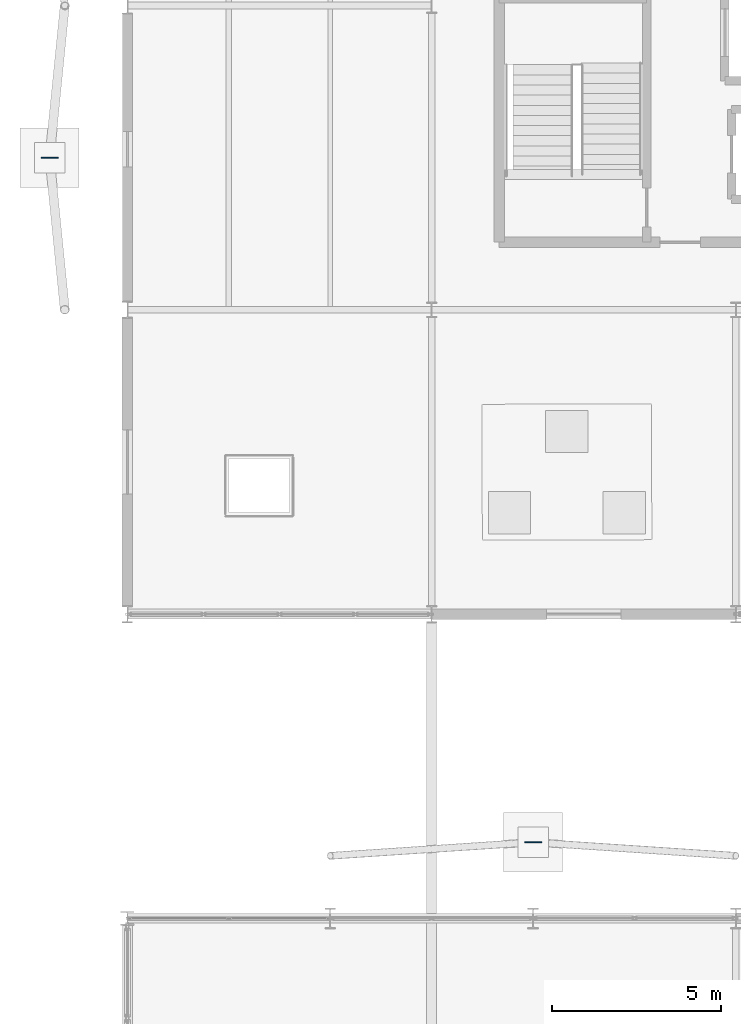
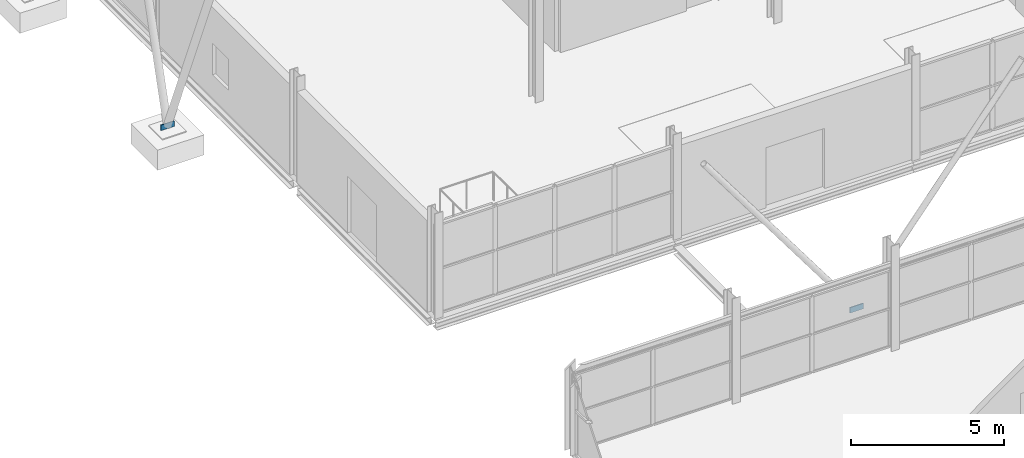
# One storey, part 110 of 140: 2 plates.
"""IFC4 building model written with IfcOpenShell, lengths in metres."""

import ifcopenshell
import ifcopenshell.guid

model = None  # the IFC model being written
_history = None  # IfcOwnerHistory: only IFC2X3 demands one
_inside = {}  # id of a spatial element -> (the spatial element, [elements in it])
_under = {}  # id of a project, library or spatial element -> (it, [spatial elements below it])
_declared = {}  # id of a project -> (the project, [libraries it declares])
_typed = {}  # id of a type object -> (the type object, [elements of that type])
_made_of = {}  # id of a material, layer set ... -> (it, [elements and type objects made of it])


def new_model(schema):
    """Start an empty IFC model of exactly this schema.

    Asked for "IFC4X3", IfcOpenShell would pick the latest addendum, in which some entities
    have other attributes; the version numbers below select the first issue.
    IFC2X3 requires an IfcOwnerHistory on every rooted entity: one is made here for all.
    """
    global model, _history
    if schema == "IFC4X3":
        model = ifcopenshell.file(schema_version=(4, 3, 0, 0))
    else:
        model = ifcopenshell.file(schema=schema)
    _inside.clear()
    _under.clear()
    _declared.clear()
    _typed.clear()
    _made_of.clear()
    _history = None
    if model.schema == "IFC2X3":
        org = make("IfcOrganization", Name="unknown")
        user = make(
            "IfcPersonAndOrganization",
            ThePerson=make("IfcPerson", FamilyName="unknown"),
            TheOrganization=org,
        )
        app = make(
            "IfcApplication",
            ApplicationDeveloper=org,
            Version="unknown",
            ApplicationFullName="unknown",
            ApplicationIdentifier="unknown",
        )
        _history = make(
            "IfcOwnerHistory",
            OwningUser=user,
            OwningApplication=app,
            ChangeAction="ADDED",
            CreationDate=0,
        )
    return model


def make(cls, **values):
    """One entity of the class cls with the attributes given. An attribute that is None is left unset."""
    return model.create_entity(
        cls, **{name: value for name, value in values.items() if value is not None}
    )


def rooted(cls, **values):
    """An entity with a GlobalId (a new one), such as an element, a storey or a relation."""
    return make(cls, GlobalId=ifcopenshell.guid.new(), OwnerHistory=_history, **values)


def si_unit(unit_type, name, prefix=None):
    """IfcSIUnit, for example si_unit("LENGTHUNIT", "METRE", prefix="MILLI")."""
    return make("IfcSIUnit", UnitType=unit_type, Prefix=prefix, Name=name)


def assignment(units):
    """IfcUnitAssignment: the units of a project."""
    return None if units is None else make("IfcUnitAssignment", Units=units)


def point(xyz):
    """IfcCartesianPoint."""
    return None if xyz is None else make("IfcCartesianPoint", Coordinates=xyz)


def direction(xyz):
    """IfcDirection."""
    return None if xyz is None else make("IfcDirection", DirectionRatios=xyz)


def frame(location, z_axis=None, x_axis=None):
    """IfcAxis2Placement3D, a coordinate frame: its origin and axes. An axis left out is left unset."""
    return make(
        "IfcAxis2Placement3D",
        Location=point(location),
        Axis=direction(z_axis),
        RefDirection=direction(x_axis),
    )


def frame_2d(location, x_axis=None):
    """IfcAxis2Placement2D, a coordinate frame in the plane: its origin and x axis."""
    return make(
        "IfcAxis2Placement2D", Location=point(location), RefDirection=direction(x_axis)
    )


def origin():
    """The frame at (0, 0, 0) with its axes left unset."""
    return frame((0.0, 0.0, 0.0))


def origin_2d():
    """The frame at (0, 0) in the plane with its x axis left unset."""
    return frame_2d((0.0, 0.0))


def place(relative_to, where):
    """IfcLocalPlacement: puts the frame where relative to a parent placement (None: the world)."""
    return make(
        "IfcLocalPlacement", PlacementRelTo=relative_to, RelativePlacement=where
    )


def context(
    kind, dimensions, precision=None, world=None, true_north=None, identifier=None
):
    """IfcGeometricRepresentationContext, for example the 3D "Model" context."""
    return make(
        "IfcGeometricRepresentationContext",
        ContextIdentifier=identifier,
        ContextType=kind,
        CoordinateSpaceDimension=dimensions,
        Precision=precision,
        WorldCoordinateSystem=world,
        TrueNorth=true_north,
    )


def subcontext(parent, identifier, kind, view, scale=None):
    """IfcGeometricRepresentationSubContext, for example "Body" below "Model"."""
    return make(
        "IfcGeometricRepresentationSubContext",
        ContextIdentifier=identifier,
        ContextType=kind,
        ParentContext=parent,
        TargetScale=scale,
        TargetView=view,
    )


def project(units=None, contexts=None):
    """IfcProject with its units and contexts."""
    return rooted(
        "IfcProject",
        Name="project",
        RepresentationContexts=contexts,
        UnitsInContext=assignment(units),
    )


def spatial(cls, under=None, at=None, **own):
    """A site, building, storey or space (cls), placed at a placement, below another one or the project."""
    s = rooted(cls, ObjectPlacement=at, **own)
    if under is not None:
        _under.setdefault(under.id(), (under, []))[1].append(s)
    return s


def profile(cls, at=None, kind="AREA", **sizes):
    """A parametric profile (cls). Its sizes go by their IFC names, for example OverallWidth=200.0."""
    return make(cls, ProfileType=kind, Position=at, **sizes)


def rectangle(**sizes):
    """IfcRectangleProfileDef."""
    return profile("IfcRectangleProfileDef", **sizes)


def extrude(swept, where, along, depth):
    """IfcExtrudedAreaSolid: the profile swept, set in the frame where, extruded along a direction by depth."""
    return make(
        "IfcExtrudedAreaSolid",
        SweptArea=swept,
        Position=where,
        ExtrudedDirection=direction(along),
        Depth=depth,
    )


def shape(context_of_items, identifier, shape_type, items):
    """IfcShapeRepresentation: the items that make up one representation, for example the "Body"."""
    return make(
        "IfcShapeRepresentation",
        ContextOfItems=context_of_items,
        RepresentationIdentifier=identifier,
        RepresentationType=shape_type,
        Items=items,
    )


def material(Name=None, Category=None):
    """IfcMaterial."""
    return make("IfcMaterial", Name=Name, Category=Category)


def layer(
    of_material, thickness, ventilated=None, Name=None, Category=None, Priority=None
):
    """IfcMaterialLayer: one layer of a wall or slab, of a material (None: an air gap)."""
    return make(
        "IfcMaterialLayer",
        Material=of_material,
        LayerThickness=thickness,
        IsVentilated=ventilated,
        Name=Name,
        Category=Category,
        Priority=Priority,
    )


def layer_set(layers, Name=None):
    """IfcMaterialLayerSet."""
    return make("IfcMaterialLayerSet", MaterialLayers=layers, LayerSetName=Name)


def made_of(thing, what):
    """Note that an element or type object is made of a material, layer set ...; save() writes the relation."""
    if what is not None:
        _made_of.setdefault(what.id(), (what, []))[1].append(thing)
    return thing


def type_object(cls, material=None, **own):
    """A type object (cls), such as IfcWallType, which elements share."""
    return made_of(rooted(cls, **own), material)


def element(
    cls,
    number,
    at=None,
    inside=None,
    cuts=None,
    type_object=None,
    material=None,
    context=None,
    identifier="Body",
    shape_type=None,
    held_by="IfcProductDefinitionShape",
    body=None,
    shapes=None,
    **own,
):
    """One element of the class cls, such as IfcWall. Its Tag is "e" and its number.

    at: its placement. inside: the storey or other place that contains it. cuts: it is an
    opening in that element (IfcRelVoidsElement). A single representation is given by context,
    identifier, shape_type and body (its items); several are given by shapes. held_by: the class
    of the entity that holds the representations. save() writes the other relations.
    """
    e = rooted(cls, Tag="e%d" % number, ObjectPlacement=at, **own)
    if body is not None:
        shapes = [shape(context, identifier, shape_type, body)]
    if shapes is not None:
        e.Representation = make(held_by, Representations=shapes)
    if inside is not None:
        _inside.setdefault(inside.id(), (inside, []))[1].append(e)
    if cuts is not None:
        rooted(
            "IfcRelVoidsElement", RelatingBuildingElement=cuts, RelatedOpeningElement=e
        )
    if type_object is not None:
        _typed.setdefault(type_object.id(), (type_object, []))[1].append(e)
    return made_of(e, material)


def aggregate(whole, parts):
    """IfcRelAggregates: a whole, such as a stair, and the parts it consists of."""
    return rooted("IfcRelAggregates", RelatingObject=whole, RelatedObjects=parts)


def save(model, path):
    """Write the relations noted so far, then the file.

    IfcRelAggregates (storeys below a building ...), IfcRelContainedInSpatialStructure (elements
    in a storey), IfcRelDefinesByType, IfcRelAssociatesMaterial and IfcRelDeclares: one each for
    every whole, place, type object, material and project.
    """
    for whole, parts in _under.values():
        aggregate(whole, parts)
    for where, things in _inside.values():
        rooted(
            "IfcRelContainedInSpatialStructure",
            RelatedElements=things,
            RelatingStructure=where,
        )
    for kind, things in _typed.values():
        rooted("IfcRelDefinesByType", RelatedObjects=things, RelatingType=kind)
    for what, things in _made_of.values():
        rooted("IfcRelAssociatesMaterial", RelatedObjects=things, RelatingMaterial=what)
    for by, libraries in _declared.values():
        rooted("IfcRelDeclares", RelatingContext=by, RelatedDefinitions=libraries)
    model.write(path)


model = new_model("IFC4")

# Units and contexts
model_context = context("Model", 3, precision=1e-05, world=origin(), true_north=direction((0.0, 1.0)))
body_context = subcontext(model_context, "Body", "Model", "MODEL_VIEW")
ifc_project = project(units=[si_unit("LENGTHUNIT", "METRE"), si_unit("AREAUNIT", "SQUARE_METRE"), si_unit("VOLUMEUNIT", "CUBIC_METRE"), si_unit("PLANEANGLEUNIT", "RADIAN"), si_unit("MASSUNIT", "GRAM", prefix="KILO")], contexts=[model_context])

# Site, building, storey
site_placement = place(None, origin())
site = spatial("IfcSite", under=ifc_project, at=site_placement, CompositionType="ELEMENT")
building_placement = place(site_placement, origin())
building = spatial("IfcBuilding", under=site, at=building_placement, Name="Deido Ridge Mobility Hub", CompositionType="ELEMENT")
storey_placement = place(building_placement, origin())
storey = spatial("IfcBuildingStorey", under=building, at=storey_placement, Name="L00", CompositionType="ELEMENT", Elevation=0.0)

# Plates
ifc_material = material(Name="Steel S355J2 EN 10025-2", Category="steel")
ifc_layer = layer(ifc_material, 0.031982421875, Name="Steel S355J2 EN 10025-2")
ifc_layer_set = layer_set([ifc_layer], Name="Steel S355J2 EN 10025-2")
plate_type = type_object("IfcPlateType", Name="PLT-GUS-32", PredefinedType="USERDEFINED", material=ifc_layer_set)
for number, where, z_axis, x_axis, name in (
    (1, (12.0, 38.25, 0.03515625), (0.0, 0.0, 1.0), (1.0, 0.0, 0.0), "Exoskeleton V-strut pedestal gusset GP4 112"),
    (2, (-2.300048828125, 58.5, 0.03515625), (0.0, 0.0, 1.0), (1.0, 0.0, 0.0), "Exoskeleton V-strut pedestal gusset GP4 120"),
):
    element("IfcPlate", number, at=place(storey_placement, frame(where, z_axis=z_axis, x_axis=x_axis)), inside=storey, type_object=plate_type, Name=name, ObjectType="GUSSET PLATE", PredefinedType="USERDEFINED", context=body_context, shape_type="SweptSolid", body=[
        extrude(rectangle(XDim=0.5, YDim=0.031982421875, at=origin_2d()), origin(), (0.0, 0.0, 1.0), 0.219970703125),
    ])

save(model, "model.ifc")
